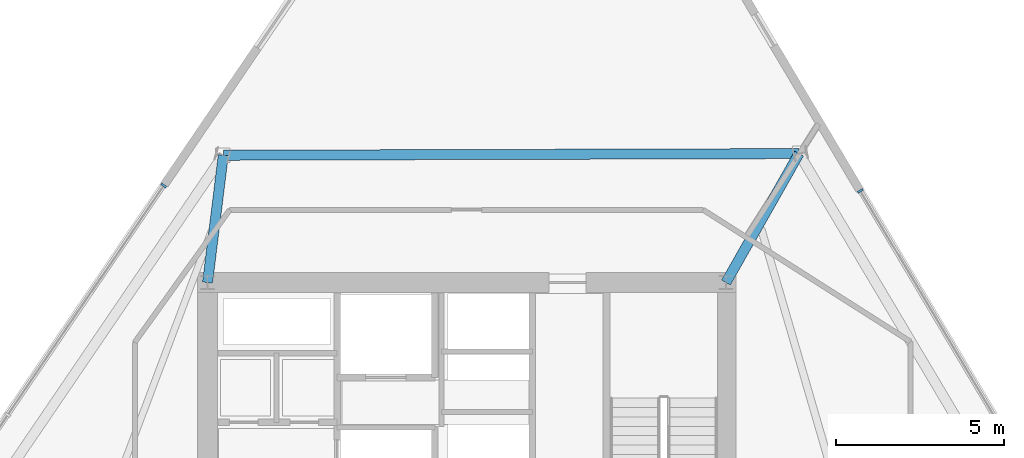
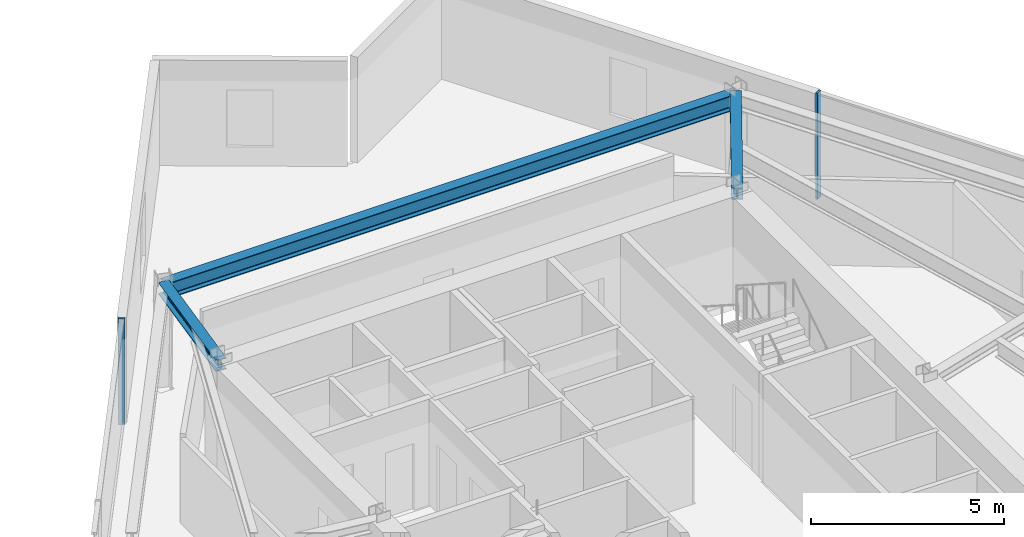
# One storey, part 6 of 15: 3 beams, 2 members, 2 elements without a shape of their own.
"""IFC4 building model written with IfcOpenShell, lengths in metres."""

from ifc_helpers import new_model, si_unit, direction, frame, origin, origin_2d, place, context, subcontext, project, spatial, rectangle, i_section, extrude, material, material_profile, profile_set, type_object, element, aggregate, save


model = new_model("IFC4")

# Units and contexts
model_context = context("Model", 3, precision=1e-05, world=origin(), true_north=direction((0.0, 1.0)))
body_context = subcontext(model_context, "Body", "Model", "MODEL_VIEW")
ifc_project = project(units=[si_unit("LENGTHUNIT", "METRE"), si_unit("AREAUNIT", "SQUARE_METRE"), si_unit("VOLUMEUNIT", "CUBIC_METRE"), si_unit("PLANEANGLEUNIT", "RADIAN"), si_unit("MASSUNIT", "GRAM", prefix="KILO")], contexts=[model_context])

# Site, building, storey
site_placement = place(None, origin())
site = spatial("IfcSite", under=ifc_project, at=site_placement, CompositionType="ELEMENT")
building_placement = place(site_placement, origin())
building = spatial("IfcBuilding", under=site, at=building_placement, Name="Savorim Split Tower", CompositionType="ELEMENT")
storey_placement = place(building_placement, frame((0.0, 0.0, 111.300048828125)))
storey = spatial("IfcBuildingStorey", under=building, at=storey_placement, Name="L29", CompositionType="ELEMENT", Elevation=111.300048828125)

# Beams
ifc_material_1 = material(Name="Steel S355", Category="steel")
ifc_material_profile_1 = material_profile(ifc_material_1, i_section(OverallWidth=0.300048828125, OverallDepth=0.360107421875, WebThickness=0.012451171875, FlangeThickness=0.0224609375, FilletRadius=0.027099609375, at=origin_2d()), Name="HEB 360")
ifc_profile_set_1 = profile_set([ifc_material_profile_1], Name="Steel S355")
beam_type_1 = type_object("IfcBeamType", Name="BM-PRI-HEB360", PredefinedType="BEAM", material=ifc_profile_set_1)
beam_1_placement = place(storey_placement, frame((9.870849609375, 14.030517578125, 3.169921875), z_axis=(-0.493054543069, -0.869998400894, 0.0), x_axis=(0.869998400894, -0.493054543069, 0.0)))
element("IfcBeam", 1, at=beam_1_placement, inside=storey, type_object=beam_type_1, Name="L29 Primary Floor Girder RG-07", PredefinedType="BEAM", context=body_context, shape_type="SweptSolid", body=[
    extrude(i_section(OverallWidth=0.300048828125, OverallDepth=0.360107421875, WebThickness=0.012451171875, FlangeThickness=0.0224609375, FilletRadius=0.027099609375, at=origin_2d()), origin(), (0.0, 0.0, 1.0), 4.403076171875),
])
beam_2_placement = place(storey_placement, frame((-7.2314453125, 13.981689453125, 3.169921875), z_axis=(-0.122946489688, -0.992413301338, 0.0), x_axis=(0.992413301338, -0.122946489688, 0.0)))
element("IfcBeam", 2, at=beam_2_placement, inside=storey, type_object=beam_type_1, Name="L29 Primary Floor Girder RG-08", PredefinedType="BEAM", context=body_context, shape_type="SweptSolid", body=[
    extrude(i_section(OverallWidth=0.300048828125, OverallDepth=0.360107421875, WebThickness=0.012451171875, FlangeThickness=0.0224609375, FilletRadius=0.027099609375, at=origin_2d()), origin(), (0.0, 0.0, 1.0), 3.810546875),
])
ifc_material_profile_2 = material_profile(ifc_material_1, i_section(OverallWidth=0.300048828125, OverallDepth=0.489990234375, WebThickness=0.011962890625, FlangeThickness=0.02294921875, FilletRadius=0.027099609375, at=origin_2d()), Name="HEA 500")
ifc_profile_set_2 = profile_set([ifc_material_profile_2], Name="Steel S355")
beam_type_2 = type_object("IfcBeamType", Name="BM-SPN-HEA500", PredefinedType="SPANDREL", material=ifc_profile_set_2)
beam_3_placement = place(storey_placement, frame((9.870849609375, 14.030517578125, 3.10498046875), z_axis=(-0.999995924333, -0.002855051104, 0.0), x_axis=(0.002855051104, -0.999995924333, 0.0)))
element("IfcBeam", 3, at=beam_3_placement, inside=storey, type_object=beam_type_2, Name="L29 Perimeter Spandrel Beam 7", PredefinedType="SPANDREL", context=body_context, shape_type="SweptSolid", body=[
    extrude(i_section(OverallWidth=0.300048828125, OverallDepth=0.489990234375, WebThickness=0.011962890625, FlangeThickness=0.02294921875, FilletRadius=0.027099609375, at=origin_2d()), origin(), (0.0, 0.0, 1.0), 17.102294921875),
])

# Curtain wall, member
ifc_material_2 = material(Name="Dark Ceramic-Fritted Insulated Glass", Category="glass")
curtain_wall_type = type_object("IfcCurtainWallType", Name="CW-TWR-FRIT-A", PredefinedType="NOTDEFINED", material=ifc_material_2)
curtain_wall_1_placement = place(storey_placement, origin())
curtain_wall_1 = element("IfcCurtainWall", 4, at=curtain_wall_1_placement, inside=storey, type_object=curtain_wall_type, Name="L29 Curtain Wall CW-L29-EAST", PredefinedType="NOTDEFINED")
ifc_material_3 = material(Name="Charcoal Anodised Aluminium", Category="aluminium")
ifc_material_profile_3 = material_profile(ifc_material_3, rectangle(XDim=0.179931640625, YDim=0.06494140625, at=origin_2d()), Name="ALU-M 180x65")
ifc_profile_set_3 = profile_set([ifc_material_profile_3], Name="Charcoal Anodised Aluminium")
member_type = type_object("IfcMemberType", Name="CWM-180x65", PredefinedType="MULLION", material=ifc_profile_set_3)
member_1_placement = place(storey_placement, frame((11.690185546875, 12.921630859375, 0.0), z_axis=(0.0, 0.0, 1.0), x_axis=(-0.859525409745, -0.51109301502, 0.0)))
member_1 = element("IfcMember", 5, at=member_1_placement, type_object=member_type, Name="CW-02 mullion 5", PredefinedType="MULLION", context=body_context, shape_type="SweptSolid", body=[
    extrude(rectangle(XDim=0.179931640625, YDim=0.06494140625, at=origin_2d()), origin(), (0.0, 0.0, 1.0), 3.349853515625),
])
aggregate(curtain_wall_1, [member_1])

curtain_wall_2_placement = place(storey_placement, origin())
curtain_wall_2 = element("IfcCurtainWall", 6, at=curtain_wall_2_placement, inside=storey, type_object=curtain_wall_type, Name="L29 Curtain Wall CW-L29-WEST", PredefinedType="NOTDEFINED")
member_2_placement = place(storey_placement, frame((-9.002197265625, 13.08154296875, 0.0), z_axis=(0.0, 0.0, 1.0), x_axis=(0.826819959579, -0.562466669628, 0.0)))
member_2 = element("IfcMember", 7, at=member_2_placement, type_object=member_type, Name="CW-02 mullion 1", PredefinedType="MULLION", context=body_context, shape_type="SweptSolid", body=[
    extrude(rectangle(XDim=0.179931640625, YDim=0.06494140625, at=origin_2d()), origin(), (0.0, 0.0, 1.0), 3.349853515625),
])
aggregate(curtain_wall_2, [member_2])

save(model, "model.ifc")
